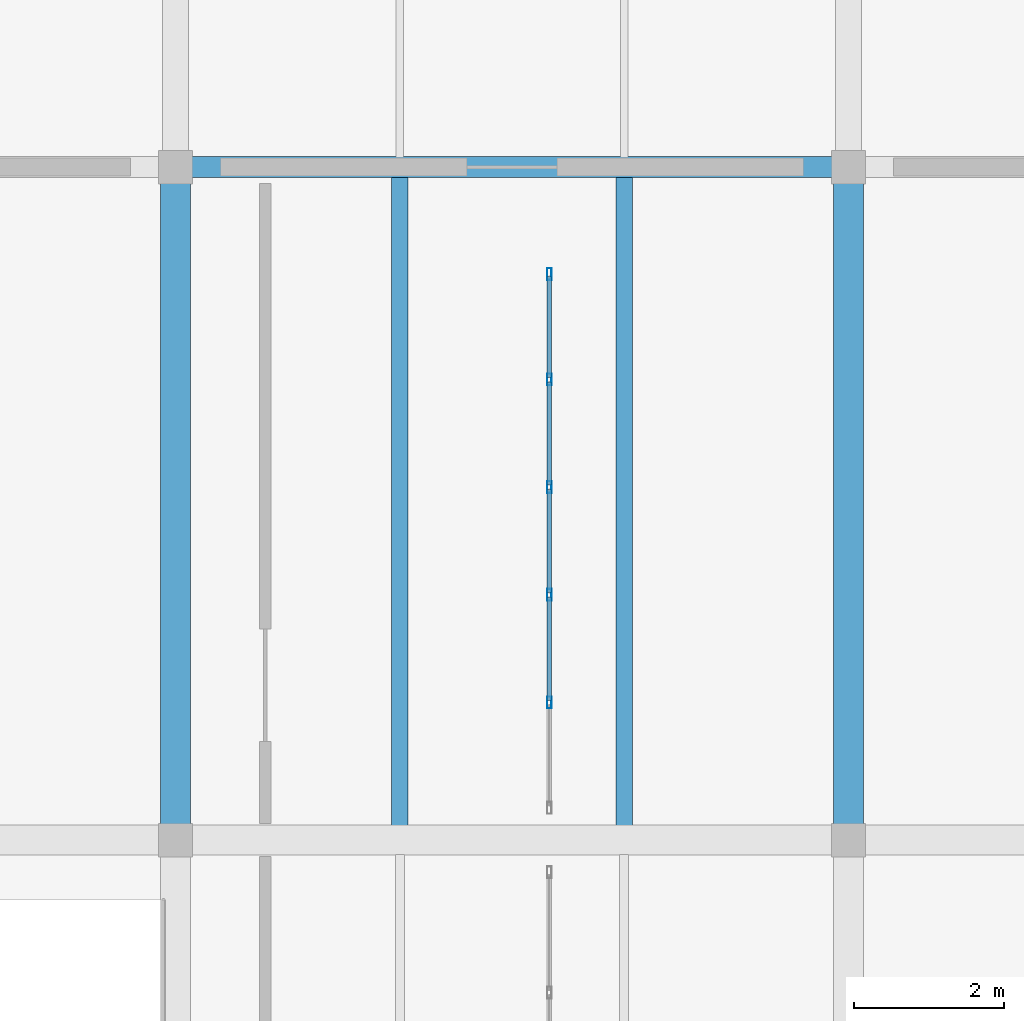
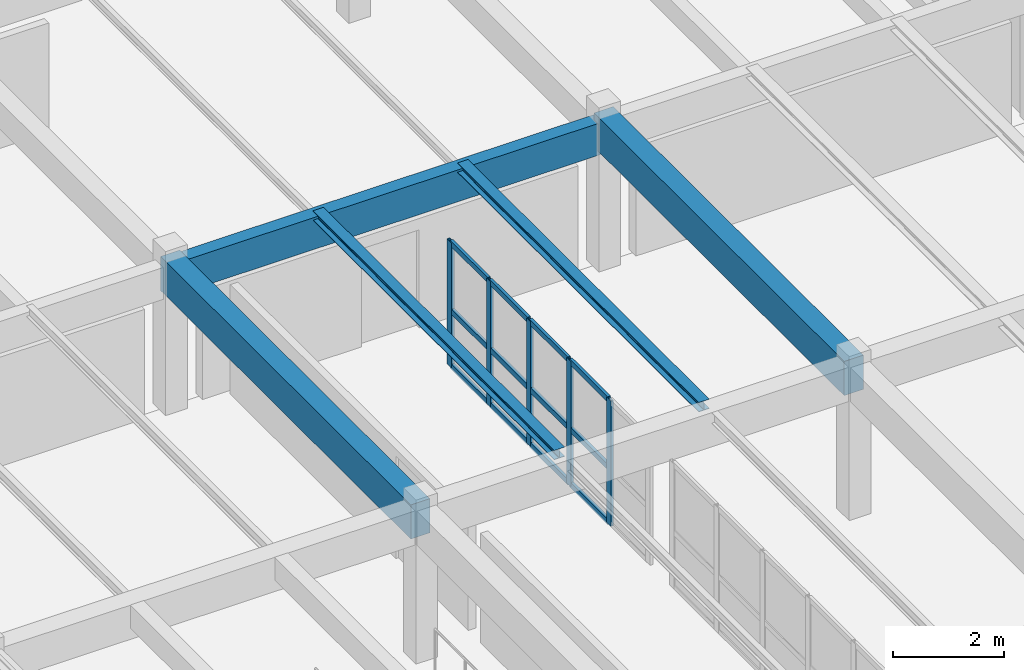
# One storey, part 46 of 80: 17 members, 5 beams, 1 element without a shape of its own.
"""IFC4 building model written with IfcOpenShell, lengths in metres."""

from ifc_helpers import new_model, si_unit, direction, frame, origin, origin_2d, place, context, subcontext, project, spatial, rectangle, hollow_rectangle, i_section, extrude, material, layer, layer_set, material_profile, profile_set, type_object, element, aggregate, save


model = new_model("IFC4")

# Units and contexts
model_context = context("Model", 3, precision=1e-05, world=origin(), true_north=direction((0.0, 1.0)))
body_context = subcontext(model_context, "Body", "Model", "MODEL_VIEW")
ifc_project = project(units=[si_unit("LENGTHUNIT", "METRE"), si_unit("AREAUNIT", "SQUARE_METRE"), si_unit("VOLUMEUNIT", "CUBIC_METRE"), si_unit("PLANEANGLEUNIT", "RADIAN"), si_unit("MASSUNIT", "GRAM", prefix="KILO")], contexts=[model_context])

# Site, building, storey
site_placement = place(None, origin())
site = spatial("IfcSite", under=ifc_project, at=site_placement, CompositionType="ELEMENT")
building_placement = place(site_placement, origin())
building = spatial("IfcBuilding", under=site, at=building_placement, Name="Ornek Quay Market", CompositionType="ELEMENT")
storey_placement = place(building_placement, frame((0.0, 0.0, 8.39990234375)))
storey = spatial("IfcBuildingStorey", under=building, at=storey_placement, Name="L02", CompositionType="ELEMENT", Elevation=8.39990234375)

# Beams
ifc_material_1 = material(Name="Concrete C35/45", Category="concrete")
ifc_material_profile_1 = material_profile(ifc_material_1, rectangle(XDim=0.39990234375, YDim=0.75, at=origin_2d()), Name="RC 400x750", Category="concrete")
ifc_profile_set_1 = profile_set([ifc_material_profile_1], Name="Concrete C35/45")
beam_type_1 = type_object("IfcBeamType", Name="BM-CS-400x750", PredefinedType="BEAM", material=ifc_profile_set_1)
for number, where, z_axis, x_axis, name in (
    (1, (162.0, 56.0, 2.97509765625), (0.0, 1.0, 0.0), (-1.0, 0.0, 0.0), "Primary beam B-CS1-074"),
    (2, (171.0, 56.0, 2.97509765625), (0.0, 1.0, 0.0), (-1.0, 0.0, 0.0), "Primary beam B-CS1-080"),
):
    element("IfcBeam", number, at=place(storey_placement, frame(where, z_axis=z_axis, x_axis=x_axis)), inside=storey, type_object=beam_type_1, Name=name, PredefinedType="BEAM", context=body_context, shape_type="SweptSolid", body=[
        extrude(rectangle(XDim=0.39990234375, YDim=0.75, at=origin_2d()), origin(), (0.0, 0.0, 1.0), 9.0),
    ])
ifc_material_profile_2 = material_profile(ifc_material_1, rectangle(XDim=0.280029296875, YDim=0.699951171875, at=origin_2d()), Name="RC 280x700", Category="concrete")
ifc_profile_set_2 = profile_set([ifc_material_profile_2], Name="Concrete C35/45")
beam_type_2 = type_object("IfcBeamType", Name="BM-SPN-280x700", PredefinedType="SPANDREL", material=ifc_profile_set_2)
beam_placement = place(storey_placement, frame((162.0, 65.0, 2.85009765625), z_axis=(1.0, 0.0, 0.0), x_axis=(0.0, 1.0, 0.0)))
element("IfcBeam", 3, at=beam_placement, inside=storey, type_object=beam_type_2, Name="Primary beam B-SP2-088", PredefinedType="SPANDREL", context=body_context, shape_type="SweptSolid", body=[
    extrude(rectangle(XDim=0.280029296875, YDim=0.699951171875, at=origin_2d()), origin(), (0.0, 0.0, 1.0), 9.0),
])
ifc_material_2 = material(Name="Steel S355", Category="steel")
ifc_material_profile_3 = material_profile(ifc_material_2, i_section(OverallWidth=0.219970703125, OverallDepth=0.2099609375, WebThickness=0.007080078125, FlangeThickness=0.010986328125, FilletRadius=0.01806640625, at=origin_2d()), Name="HEA 220", Category="steel")
ifc_profile_set_3 = profile_set([ifc_material_profile_3], Name="Steel S355")
beam_type_3 = type_object("IfcBeamType", Name="BM-STL-HEA220", PredefinedType="BEAM", material=ifc_profile_set_3)
for number, where, z_axis, x_axis, name in (
    (4, (165.0, 56.19189453125, 3.2451171875), (0.0, 1.0, 0.0), (-1.0, 0.0, 0.0), "Secondary joist SB-13-035"),
    (5, (168.0, 56.19189453125, 3.2451171875), (0.0, 1.0, 0.0), (-1.0, 0.0, 0.0), "Secondary joist SB-13-036"),
):
    element("IfcBeam", number, at=place(storey_placement, frame(where, z_axis=z_axis, x_axis=x_axis)), inside=storey, type_object=beam_type_3, Name=name, PredefinedType="BEAM", context=body_context, shape_type="SweptSolid", body=[
        extrude(i_section(OverallWidth=0.219970703125, OverallDepth=0.2099609375, WebThickness=0.007080078125, FlangeThickness=0.010986328125, FilletRadius=0.01806640625, at=origin_2d()), origin(), (0.0, 0.0, 1.0), 8.676025390625),
    ])

# Curtain wall, members
ifc_material_3 = material(Name="Anodised bronze aluminium and triple low-e glass", Category="aluminium")
ifc_layer = layer(ifc_material_3, 0.139892578125, Name="Anodised bronze aluminium and triple low-e glass", Category="aluminium")
ifc_layer_set = layer_set([ifc_layer], Name="Anodised bronze aluminium and triple low-e glass")
curtain_wall_type = type_object("IfcCurtainWallType", Name="CW-GALLERY-INT", PredefinedType="USERDEFINED", material=ifc_layer_set)
curtain_wall_placement = place(storey_placement, origin())
curtain_wall = element("IfcCurtainWall", 6, at=curtain_wall_placement, inside=storey, type_object=curtain_wall_type, Name="Curtain wall CW-170", ObjectType="CURTAIN WALL", PredefinedType="USERDEFINED")
ifc_material_4 = material(Name="Anodised aluminium 6063-T6", Category="aluminium")
ifc_material_profile_4 = material_profile(ifc_material_4, hollow_rectangle(XDim=0.06005859375, YDim=0.159912109375, WallThickness=0.00390625, at=origin_2d()), Name="CW-MUL-60x160", Category="aluminium")
ifc_profile_set_4 = profile_set([ifc_material_profile_4], Name="Anodised aluminium 6063-T6")
member_type_1 = type_object("IfcMemberType", Name="CW-MUL-60x160", PredefinedType="MULLION", material=ifc_profile_set_4)
member_1_placement = place(storey_placement, frame((167.0, 57.840087890625, 0.0), z_axis=(0.0, 0.0, 1.0), x_axis=(-1.0, 0.0, 0.0)))
member_1 = element("IfcMember", 7, at=member_1_placement, type_object=member_type_1, Name="CW-170 mullion 2", PredefinedType="MULLION", context=body_context, shape_type="SweptSolid", body=[
    extrude(hollow_rectangle(XDim=0.06005859375, YDim=0.159912109375, WallThickness=0.00390625, at=origin_2d()), origin(), (0.0, 0.0, 1.0), 2.75),
])
member_2_placement = place(storey_placement, frame((167.0, 59.280029296875, 0.0), z_axis=(0.0, 0.0, 1.0), x_axis=(-1.0, 0.0, 0.0)))
member_2 = element("IfcMember", 8, at=member_2_placement, type_object=member_type_1, Name="CW-170 mullion 3", PredefinedType="MULLION", context=body_context, shape_type="SweptSolid", body=[
    extrude(hollow_rectangle(XDim=0.06005859375, YDim=0.159912109375, WallThickness=0.00390625, at=origin_2d()), origin(), (0.0, 0.0, 1.0), 2.75),
])
member_3_placement = place(storey_placement, frame((167.0, 60.719970703125, 0.0), z_axis=(0.0, 0.0, 1.0), x_axis=(-1.0, 0.0, 0.0)))
member_3 = element("IfcMember", 9, at=member_3_placement, type_object=member_type_1, Name="CW-170 mullion 4", PredefinedType="MULLION", context=body_context, shape_type="SweptSolid", body=[
    extrude(hollow_rectangle(XDim=0.06005859375, YDim=0.159912109375, WallThickness=0.00390625, at=origin_2d()), origin(), (0.0, 0.0, 1.0), 2.75),
])
member_4_placement = place(storey_placement, frame((167.0, 62.159912109375, 0.0), z_axis=(0.0, 0.0, 1.0), x_axis=(-1.0, 0.0, 0.0)))
member_4 = element("IfcMember", 10, at=member_4_placement, type_object=member_type_1, Name="CW-170 mullion 5", PredefinedType="MULLION", context=body_context, shape_type="SweptSolid", body=[
    extrude(hollow_rectangle(XDim=0.06005859375, YDim=0.159912109375, WallThickness=0.00390625, at=origin_2d()), origin(), (0.0, 0.0, 1.0), 2.75),
])
member_5_placement = place(storey_placement, frame((167.0, 63.570068359375, 0.0), z_axis=(0.0, 0.0, 1.0), x_axis=(-1.0, 0.0, 0.0)))
member_5 = element("IfcMember", 11, at=member_5_placement, type_object=member_type_1, Name="CW-170 mullion 6", PredefinedType="MULLION", context=body_context, shape_type="SweptSolid", body=[
    extrude(hollow_rectangle(XDim=0.06005859375, YDim=0.159912109375, WallThickness=0.00390625, at=origin_2d()), origin(), (0.0, 0.0, 1.0), 2.75),
])
ifc_material_profile_5 = material_profile(ifc_material_4, hollow_rectangle(XDim=0.06005859375, YDim=0.1201171875, WallThickness=0.00390625, at=origin_2d()), Name="CW-TRN-60x120", Category="aluminium")
ifc_profile_set_5 = profile_set([ifc_material_profile_5], Name="Anodised aluminium 6063-T6")
member_type_2 = type_object("IfcMemberType", Name="CW-TRN-60x120", PredefinedType="USERDEFINED", material=ifc_profile_set_5)
member_6_placement = place(storey_placement, frame((167.0, 57.8701171875, 0.030029296875), z_axis=(0.0, 1.0, 0.0), x_axis=(-1.0, 0.0, 0.0)))
member_6 = element("IfcMember", 12, at=member_6_placement, type_object=member_type_2, Name="CW-170 transom 2.1", ObjectType="TRANSOM", PredefinedType="USERDEFINED", context=body_context, shape_type="SweptSolid", body=[
    extrude(hollow_rectangle(XDim=0.06005859375, YDim=0.1201171875, WallThickness=0.00390625, at=origin_2d()), origin(), (0.0, 0.0, 1.0), 1.3798828125),
])
member_7_placement = place(storey_placement, frame((167.0, 57.8701171875, 1.237548828125), z_axis=(0.0, 1.0, 0.0), x_axis=(-1.0, 0.0, 0.0)))
member_7 = element("IfcMember", 13, at=member_7_placement, type_object=member_type_2, Name="CW-170 transom 2.2", ObjectType="TRANSOM", PredefinedType="USERDEFINED", context=body_context, shape_type="SweptSolid", body=[
    extrude(hollow_rectangle(XDim=0.06005859375, YDim=0.1201171875, WallThickness=0.00390625, at=origin_2d()), origin(), (0.0, 0.0, 1.0), 1.3798828125),
])
member_8_placement = place(storey_placement, frame((167.0, 57.8701171875, 2.72021484375), z_axis=(0.0, 1.0, 0.0), x_axis=(-1.0, 0.0, 0.0)))
member_8 = element("IfcMember", 14, at=member_8_placement, type_object=member_type_2, Name="CW-170 transom 2.3", ObjectType="TRANSOM", PredefinedType="USERDEFINED", context=body_context, shape_type="SweptSolid", body=[
    extrude(hollow_rectangle(XDim=0.06005859375, YDim=0.1201171875, WallThickness=0.00390625, at=origin_2d()), origin(), (0.0, 0.0, 1.0), 1.3798828125),
])
member_9_placement = place(storey_placement, frame((167.0, 59.31005859375, 0.030029296875), z_axis=(0.0, 1.0, 0.0), x_axis=(-1.0, 0.0, 0.0)))
member_9 = element("IfcMember", 15, at=member_9_placement, type_object=member_type_2, Name="CW-170 transom 3.1", ObjectType="TRANSOM", PredefinedType="USERDEFINED", context=body_context, shape_type="SweptSolid", body=[
    extrude(hollow_rectangle(XDim=0.06005859375, YDim=0.1201171875, WallThickness=0.00390625, at=origin_2d()), origin(), (0.0, 0.0, 1.0), 1.3798828125),
])
member_10_placement = place(storey_placement, frame((167.0, 59.31005859375, 1.237548828125), z_axis=(0.0, 1.0, 0.0), x_axis=(-1.0, 0.0, 0.0)))
member_10 = element("IfcMember", 16, at=member_10_placement, type_object=member_type_2, Name="CW-170 transom 3.2", ObjectType="TRANSOM", PredefinedType="USERDEFINED", context=body_context, shape_type="SweptSolid", body=[
    extrude(hollow_rectangle(XDim=0.06005859375, YDim=0.1201171875, WallThickness=0.00390625, at=origin_2d()), origin(), (0.0, 0.0, 1.0), 1.3798828125),
])
member_11_placement = place(storey_placement, frame((167.0, 59.31005859375, 2.72021484375), z_axis=(0.0, 1.0, 0.0), x_axis=(-1.0, 0.0, 0.0)))
member_11 = element("IfcMember", 17, at=member_11_placement, type_object=member_type_2, Name="CW-170 transom 3.3", ObjectType="TRANSOM", PredefinedType="USERDEFINED", context=body_context, shape_type="SweptSolid", body=[
    extrude(hollow_rectangle(XDim=0.06005859375, YDim=0.1201171875, WallThickness=0.00390625, at=origin_2d()), origin(), (0.0, 0.0, 1.0), 1.3798828125),
])
member_12_placement = place(storey_placement, frame((167.0, 60.75, 0.030029296875), z_axis=(0.0, 1.0, 0.0), x_axis=(-1.0, 0.0, 0.0)))
member_12 = element("IfcMember", 18, at=member_12_placement, type_object=member_type_2, Name="CW-170 transom 4.1", ObjectType="TRANSOM", PredefinedType="USERDEFINED", context=body_context, shape_type="SweptSolid", body=[
    extrude(hollow_rectangle(XDim=0.06005859375, YDim=0.1201171875, WallThickness=0.00390625, at=origin_2d()), origin(), (0.0, 0.0, 1.0), 1.3798828125),
])
member_13_placement = place(storey_placement, frame((167.0, 60.75, 1.237548828125), z_axis=(0.0, 1.0, 0.0), x_axis=(-1.0, 0.0, 0.0)))
member_13 = element("IfcMember", 19, at=member_13_placement, type_object=member_type_2, Name="CW-170 transom 4.2", ObjectType="TRANSOM", PredefinedType="USERDEFINED", context=body_context, shape_type="SweptSolid", body=[
    extrude(hollow_rectangle(XDim=0.06005859375, YDim=0.1201171875, WallThickness=0.00390625, at=origin_2d()), origin(), (0.0, 0.0, 1.0), 1.3798828125),
])
member_14_placement = place(storey_placement, frame((167.0, 60.75, 2.72021484375), z_axis=(0.0, 1.0, 0.0), x_axis=(-1.0, 0.0, 0.0)))
member_14 = element("IfcMember", 20, at=member_14_placement, type_object=member_type_2, Name="CW-170 transom 4.3", ObjectType="TRANSOM", PredefinedType="USERDEFINED", context=body_context, shape_type="SweptSolid", body=[
    extrude(hollow_rectangle(XDim=0.06005859375, YDim=0.1201171875, WallThickness=0.00390625, at=origin_2d()), origin(), (0.0, 0.0, 1.0), 1.3798828125),
])
member_15_placement = place(storey_placement, frame((167.0, 62.18994140625, 0.030029296875), z_axis=(0.0, 1.0, 0.0), x_axis=(-1.0, 0.0, 0.0)))
member_15 = element("IfcMember", 21, at=member_15_placement, type_object=member_type_2, Name="CW-170 transom 5.1", ObjectType="TRANSOM", PredefinedType="USERDEFINED", context=body_context, shape_type="SweptSolid", body=[
    extrude(hollow_rectangle(XDim=0.06005859375, YDim=0.1201171875, WallThickness=0.00390625, at=origin_2d()), origin(), (0.0, 0.0, 1.0), 1.35009765625),
])
member_16_placement = place(storey_placement, frame((167.0, 62.18994140625, 1.237548828125), z_axis=(0.0, 1.0, 0.0), x_axis=(-1.0, 0.0, 0.0)))
member_16 = element("IfcMember", 22, at=member_16_placement, type_object=member_type_2, Name="CW-170 transom 5.2", ObjectType="TRANSOM", PredefinedType="USERDEFINED", context=body_context, shape_type="SweptSolid", body=[
    extrude(hollow_rectangle(XDim=0.06005859375, YDim=0.1201171875, WallThickness=0.00390625, at=origin_2d()), origin(), (0.0, 0.0, 1.0), 1.35009765625),
])
member_17_placement = place(storey_placement, frame((167.0, 62.18994140625, 2.72021484375), z_axis=(0.0, 1.0, 0.0), x_axis=(-1.0, 0.0, 0.0)))
member_17 = element("IfcMember", 23, at=member_17_placement, type_object=member_type_2, Name="CW-170 transom 5.3", ObjectType="TRANSOM", PredefinedType="USERDEFINED", context=body_context, shape_type="SweptSolid", body=[
    extrude(hollow_rectangle(XDim=0.06005859375, YDim=0.1201171875, WallThickness=0.00390625, at=origin_2d()), origin(), (0.0, 0.0, 1.0), 1.35009765625),
])
aggregate(curtain_wall, [member_1, member_2, member_3, member_4, member_5, member_6, member_7, member_8, member_9, member_10, member_11, member_12, member_13, member_14, member_15, member_16, member_17])

save(model, "model.ifc")
